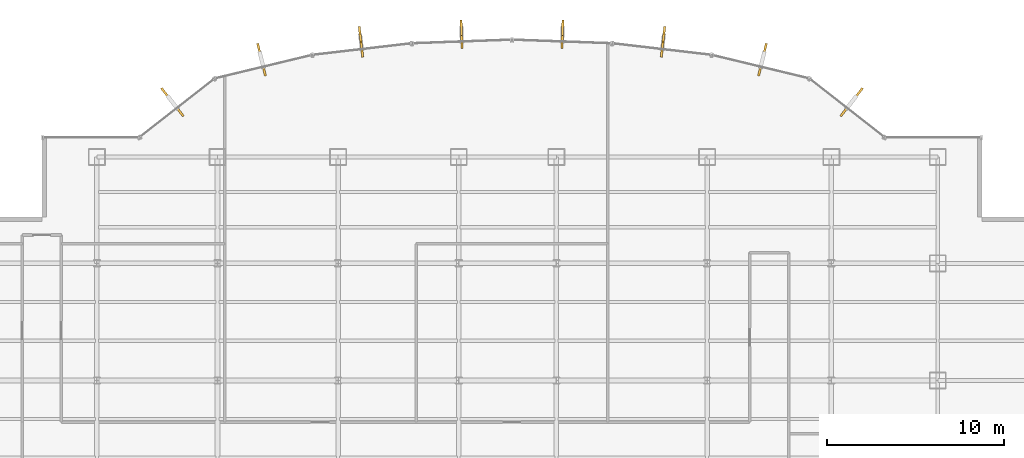
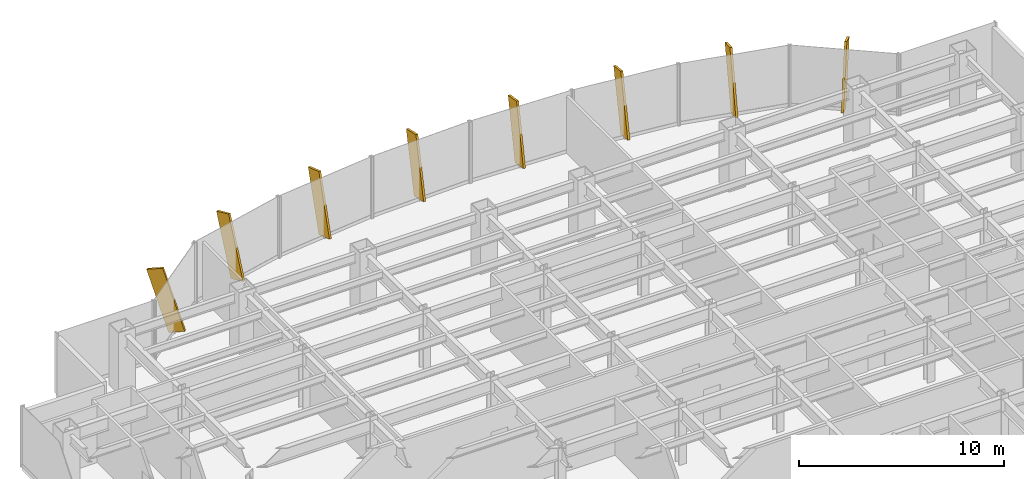
# One storey, part 21 of 22: 8 shading devices.
"""IFC4 building model written with IfcOpenShell, lengths in metres."""

from ifc_helpers import new_model, si_unit, derived_unit, direction, frame, origin, origin_2d, place, context, subcontext, project, spatial, rectangle, extrude, source, transform, mapped, material, type_object, element, save


model = new_model("IFC4")

# Units and contexts
model_context = context("Model", 3, precision=1e-05, world=origin(), true_north=direction((0.0, 1.0)))
body_context = subcontext(model_context, "Body", "Model", "MODEL_VIEW")
ifc_project = project(units=[si_unit("LENGTHUNIT", "METRE"), si_unit("AREAUNIT", "SQUARE_METRE"), si_unit("VOLUMEUNIT", "CUBIC_METRE"), si_unit("PLANEANGLEUNIT", "RADIAN"), si_unit("MASSUNIT", "GRAM", prefix="KILO"), derived_unit("THERMALTRANSMITTANCEUNIT", [(si_unit("POWERUNIT", "WATT"), 1), (si_unit("LENGTHUNIT", "METRE"), -2), (si_unit("THERMODYNAMICTEMPERATUREUNIT", "KELVIN"), -1)])], contexts=[model_context])

# Site, building, storey
site_placement = place(None, origin())
site = spatial("IfcSite", under=ifc_project, at=site_placement, CompositionType="ELEMENT")
building_placement = place(site_placement, origin())
building = spatial("IfcBuilding", under=site, at=building_placement, Name="Skarnbrae Concourse Arena and Tower", CompositionType="ELEMENT")
storey_placement = place(building_placement, frame((0.0, 0.0, 32.5)))
storey = spatial("IfcBuildingStorey", under=building, at=storey_placement, Name="L06", CompositionType="ELEMENT", Elevation=32.5)

# Shading devices
ifc_material = material(Name="Bronze anodised aluminium 6063-T6", Category="aluminium")
shading_device_type = type_object("IfcShadingDeviceType", Name="SHD-BRONZE-FIN-900", PredefinedType="USERDEFINED", material=ifc_material)
shared_shape = source(origin(), body_context, "Body", "SweptSolid", [
    extrude(rectangle(XDim=0.1201171875, YDim=0.89990234375, at=origin_2d()), origin(), (0.0, 0.0, 1.0), 3.64990234375),
])
for number, where, z_axis, x_axis, name in (
    (1, (49.784423828125, 43.030029296875, 0.0947265625), (0.19580213261, 0.250317994447, 0.94815738489), (0.787656027369, -0.616115234797, 0.0), "L06 Outward-leaning bronze shading fin 08"),
    (2, (44.99755859375, 45.385498046875, 0.07373046875), (0.066100416019, 0.273288980995, 0.959658203669), (0.971973311258, -0.235091221021, 0.0), "L06 Outward-leaning bronze shading fin 09"),
    (3, (39.46142578125, 46.452880859375, 0.052734375), (0.02772035435, 0.237258553337, 0.971050956862), (0.993243759876, -0.116046686587, 0.0), "L06 Outward-leaning bronze shading fin 10"),
    (4, (33.829345703125, 46.96142578125, 0.03515625), (0.007020947443, 0.195477788682, 0.98068299691), (0.999355613141, -0.035893710914, 0.0), "L06 Outward-leaning bronze shading fin 11"),
    (5, (28.170654296875, 46.96142578125, 0.03515625), (-0.007020947443, 0.195477788682, 0.98068299691), (0.999355613141, 0.035893710914, 0.0), "L06 Outward-leaning bronze shading fin 12"),
    (6, (22.53857421875, 46.452880859375, 0.052734375), (-0.02772035435, 0.237258553337, 0.971050956862), (0.993243759876, 0.116046686587, 0.0), "L06 Outward-leaning bronze shading fin 13"),
    (7, (17.00244140625, 45.385498046875, 0.07373046875), (-0.066100416019, 0.273288980995, 0.959658203669), (0.971973311258, 0.235091221021, 0.0), "L06 Outward-leaning bronze shading fin 14"),
    (8, (12.215576171875, 43.030029296875, 0.0947265625), (-0.19580213261, 0.250317994447, 0.94815738489), (0.787656027369, 0.616115234797, 0.0), "L06 Outward-leaning bronze shading fin 15"),
):
    element("IfcShadingDevice", number, at=place(storey_placement, frame(where, z_axis=z_axis, x_axis=x_axis)), inside=storey, type_object=shading_device_type, Name=name, ObjectType="FIN", PredefinedType="USERDEFINED", context=body_context, shape_type="MappedRepresentation", body=[
        mapped(shared_shape, transform((0.0, 0.0, 0.0))),
    ])

save(model, "model.ifc")
